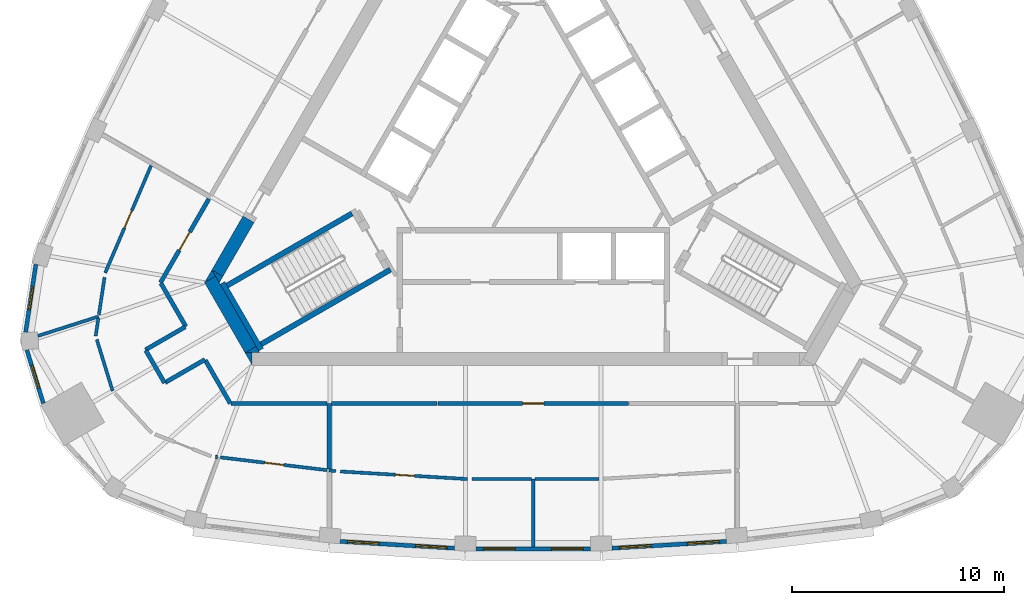
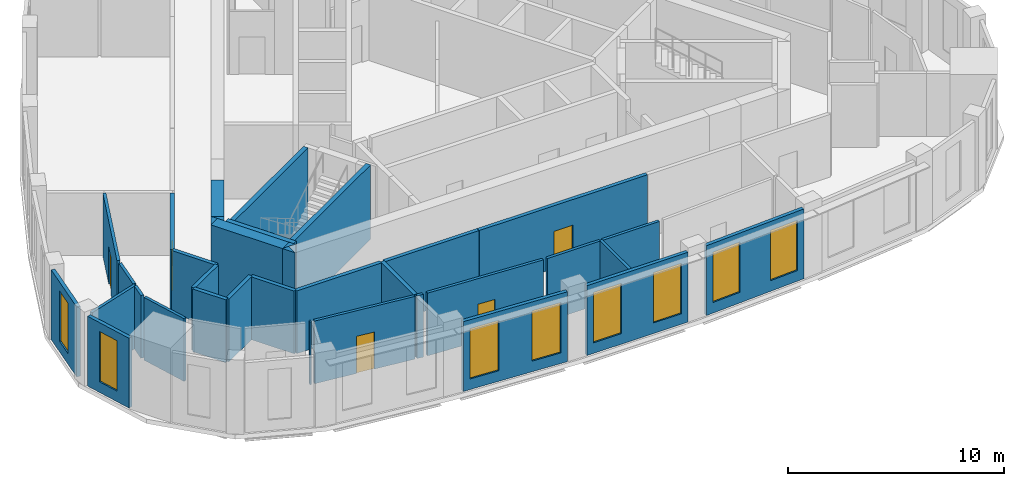
# One storey, part 3 of 10: 36 walls, 8 windows, 5 doors, 13 openings.
"""IFC4 building model written with IfcOpenShell, lengths in metres."""

from ifc_helpers import new_model, si_unit, direction, frame, frame_2d, origin, place, context, subcontext, project, spatial, polyline, rectangle, outline, extrude, material, layer, layer_set, type_object, element, fill, save


model = new_model("IFC4")

# Units and contexts
model_context = context("Model", 3, precision=1e-05, world=origin(), true_north=direction((0.0, 1.0)))
body_context = subcontext(model_context, "Body", "Model", "MODEL_VIEW")
ifc_project = project(units=[si_unit("LENGTHUNIT", "METRE"), si_unit("AREAUNIT", "SQUARE_METRE"), si_unit("VOLUMEUNIT", "CUBIC_METRE"), si_unit("PLANEANGLEUNIT", "RADIAN"), si_unit("MASSUNIT", "GRAM", prefix="KILO")], contexts=[model_context])

# Site, building, storey
site_placement = place(None, origin())
site = spatial("IfcSite", under=ifc_project, at=site_placement, CompositionType="ELEMENT")
building_placement = place(site_placement, origin())
building = spatial("IfcBuilding", under=site, at=building_placement, Name="Mestral Congress Tower", CompositionType="ELEMENT")
storey_placement = place(building_placement, frame((0.0, 0.0, 309.0)))
storey = spatial("IfcBuildingStorey", under=building, at=storey_placement, Name="L72", CompositionType="ELEMENT", Elevation=309.0)

# Walls
ifc_material_1 = material(Name="Concrete C60/75", Category="concrete")
ifc_layer_1 = layer(ifc_material_1, 0.60009765625)
ifc_layer_set_1 = layer_set([ifc_layer_1], Name="Concrete C60/75")
wall_type_1 = type_object("IfcWallType", Name="Core wall RC 600", PredefinedType="SOLIDWALL", material=ifc_layer_set_1)
placement = place(storey_placement, origin())
element("IfcWall", 1, at=placement, inside=storey, type_object=wall_type_1, Name="L72 core wall", PredefinedType="SOLIDWALL", context=body_context, shape_type="SweptSolid", body=[
    extrude(outline(polyline([(-13.5966796875, -9.64990234375), (-13.258544921875, -9.64990234375), (-13.258544921875, -10.235595703125), (-13.5966796875, -9.64990234375)])), origin(), (0.0, 0.0, 1.0), 4.199951171875),
])
wall_2_placement = place(storey_placement, frame((-13.33349609375, -9.505615234375, 0.0), z_axis=(0.0, 0.0, 1.0), x_axis=(-0.500019073792, 0.866014391245, 0.0)))
element("IfcWall", 2, at=wall_2_placement, inside=storey, type_object=wall_type_1, Name="L72 core wall", PredefinedType="SOLIDWALL", context=body_context, shape_type="SweptSolid", body=[
    extrude(rectangle(XDim=3.823486328125, YDim=0.60009765625, at=frame_2d((1.91162109375, 0.0))), origin(), (0.0, 0.0, 1.0), 4.199951171875),
])
element("IfcWall", 3, at=placement, inside=storey, type_object=wall_type_1, Name="L72 core wall", PredefinedType="SOLIDWALL", context=body_context, shape_type="SweptSolid", body=[
    extrude(outline(polyline([(-14.986572265625, -6.042724609375), (-15.493408203125, -6.33544921875), (-15.155517578125, -5.75), (-14.986572265625, -6.042724609375)])), origin(), (0.0, 0.0, 1.0), 4.199951171875),
])
element("IfcWall", 4, at=placement, inside=storey, type_object=wall_type_1, Name="L72 core wall", PredefinedType="SOLIDWALL", context=body_context, shape_type="SweptSolid", body=[
    extrude(outline(polyline([(-12.90380859375, -9.64990234375), (-13.579833984375, -9.64990234375), (-13.07275390625, -9.357421875), (-12.90380859375, -9.64990234375)])), origin(), (0.0, 0.0, 1.0), 4.199951171875),
])
wall_5_placement = place(storey_placement, frame((-13.431640625, -3.3642578125, 0.0), z_axis=(0.0, 0.0, 1.0), x_axis=(-0.499960127962, -0.866048422692, 0.0)))
element("IfcWall", 5, at=wall_5_placement, inside=storey, type_object=wall_type_1, Name="L72 core wall", PredefinedType="SOLIDWALL", context=body_context, shape_type="SweptSolid", body=[
    extrude(rectangle(XDim=2.934326171875, YDim=0.60009765625, at=frame_2d((1.46728515625, 0.0))), origin(), (0.0, 0.0, 1.0), 4.199951171875),
])
element("IfcWall", 6, at=placement, inside=storey, type_object=wall_type_1, Name="L72 core wall", PredefinedType="SOLIDWALL", context=body_context, shape_type="SweptSolid", body=[
    extrude(outline(polyline([(-14.80908203125, -6.35009765625), (-15.147216796875, -5.764404296875), (-14.639892578125, -6.057373046875), (-14.80908203125, -6.35009765625)])), origin(), (0.0, 0.0, 1.0), 4.199951171875),
])

# Wall, openings, windows
ifc_material_2 = material(Name="Precast concrete C40/50 with limestone facing", Category="masonry")
ifc_layer_2 = layer(ifc_material_2, 0.18994140625)
ifc_layer_set_2 = layer_set([ifc_layer_2], Name="Precast concrete C40/50 with limestone facing")
wall_type_2 = type_object("IfcWallType", Name="Facade stone wall 190", PredefinedType="SOLIDWALL", material=ifc_layer_set_2)
wall_7_placement = place(storey_placement, frame((-9.106689453125, -18.557861328125, 0.0), z_axis=(0.0, 0.0, 1.0), x_axis=(0.998221492823, -0.059614186786, 0.0)))
wall_7 = element("IfcWall", 7, at=wall_7_placement, inside=storey, type_object=wall_type_2, Name="Facade wall F0-01", PredefinedType="SOLIDWALL", context=body_context, shape_type="SweptSolid", body=[
    extrude(rectangle(XDim=5.40576171875, YDim=0.18994140625, at=frame_2d((2.702880859375, 0.0))), origin(), (0.0, 0.0, 1.0), 3.949951171875),
])
opening_1_placement = place(wall_7_placement, frame((0.346435546875, 0.0, 0.60009765625)))
opening_1 = element("IfcOpeningElement", 8, at=opening_1_placement, cuts=wall_7, Name="Opening W6", PredefinedType="OPENING", context=body_context, shape_type="SweptSolid", body=[
    extrude(rectangle(XDim=1.5, YDim=2.85009765625, at=frame_2d((0.75, 1.425048828125))), frame((0.0, 0.10498046875, 0.0), z_axis=(0.0, -1.0, 0.0), x_axis=(1.0, 0.0, 0.0)), (0.0, 0.0, 1.0), 0.2099609375),
])
opening_2_placement = place(wall_7_placement, frame((3.559326171875, 0.0, 0.60009765625)))
opening_2 = element("IfcOpeningElement", 9, at=opening_2_placement, cuts=wall_7, Name="Opening W6", PredefinedType="OPENING", context=body_context, shape_type="SweptSolid", body=[
    extrude(rectangle(XDim=1.5, YDim=2.85009765625, at=frame_2d((0.75, 1.425048828125))), frame((0.0, 0.10498046875, 0.0), z_axis=(0.0, -1.0, 0.0), x_axis=(1.0, 0.0, 0.0)), (0.0, 0.0, 1.0), 0.2099609375),
])
ifc_material_3 = material(Name="Clear low-emissivity double glazing", Category="glass")
window_type_1 = type_object("IfcWindowType", Name="Facade punched window 1500 x 2850 sill 600", PartitioningType="SINGLE_PANEL", PredefinedType="WINDOW", material=ifc_material_3)
window_1_placement = place(opening_1_placement, origin())
window_1 = element("IfcWindow", 10, at=window_1_placement, inside=storey, type_object=window_type_1, Name="Window F0-01a", OverallHeight=2.85009765625, OverallWidth=1.5, PartitioningType="SINGLE_PANEL", PredefinedType="WINDOW", context=body_context, shape_type="SweptSolid", body=[
    extrude(rectangle(XDim=1.5, YDim=2.85009765625, at=frame_2d((0.75, 1.425048828125))), frame((0.0, 0.044921875, 0.0), z_axis=(0.0, -1.0, 0.0), x_axis=(1.0, 0.0, 0.0)), (0.0, 0.0, 1.0), 0.06005859375),
])
fill(opening_1, window_1)
window_2_placement = place(opening_2_placement, origin())
window_2 = element("IfcWindow", 11, at=window_2_placement, inside=storey, type_object=window_type_1, Name="Window F0-01b", OverallHeight=2.85009765625, OverallWidth=1.5, PartitioningType="SINGLE_PANEL", PredefinedType="WINDOW", context=body_context, shape_type="SweptSolid", body=[
    extrude(rectangle(XDim=1.5, YDim=2.85009765625, at=frame_2d((0.75, 1.425048828125))), frame((0.0, 0.044921875, 0.0), z_axis=(0.0, -1.0, 0.0), x_axis=(1.0, 0.0, 0.0)), (0.0, 0.0, 1.0), 0.06005859375),
])
fill(opening_2, window_2)

wall_8_placement = place(storey_placement, frame((-2.702880859375, -18.91015625, 0.0), z_axis=(0.0, 0.0, 1.0), x_axis=(1.0, 0.0, 0.0)))
wall_8 = element("IfcWall", 12, at=wall_8_placement, inside=storey, type_object=wall_type_2, Name="Facade wall F0-02", PredefinedType="SOLIDWALL", context=body_context, shape_type="SweptSolid", body=[
    extrude(rectangle(XDim=5.40576171875, YDim=0.18994140625, at=frame_2d((2.702880859375, 0.0))), origin(), (0.0, 0.0, 1.0), 3.949951171875),
])
opening_3_placement = place(wall_8_placement, frame((0.346435546875, 0.0, 0.60009765625)))
opening_3 = element("IfcOpeningElement", 13, at=opening_3_placement, cuts=wall_8, Name="Opening W6", PredefinedType="OPENING", context=body_context, shape_type="SweptSolid", body=[
    extrude(rectangle(XDim=1.5, YDim=2.85009765625, at=frame_2d((0.75, 1.425048828125))), frame((0.0, 0.10498046875, 0.0), z_axis=(0.0, -1.0, 0.0), x_axis=(1.0, 0.0, 0.0)), (0.0, 0.0, 1.0), 0.2099609375),
])
opening_4_placement = place(wall_8_placement, frame((3.5595703125, 0.0, 0.60009765625)))
opening_4 = element("IfcOpeningElement", 14, at=opening_4_placement, cuts=wall_8, Name="Opening W6", PredefinedType="OPENING", context=body_context, shape_type="SweptSolid", body=[
    extrude(rectangle(XDim=1.5, YDim=2.85009765625, at=frame_2d((0.75, 1.425048828125))), frame((0.0, 0.10498046875, 0.0), z_axis=(0.0, -1.0, 0.0), x_axis=(1.0, 0.0, 0.0)), (0.0, 0.0, 1.0), 0.2099609375),
])
window_3_placement = place(opening_3_placement, origin())
window_3 = element("IfcWindow", 15, at=window_3_placement, inside=storey, type_object=window_type_1, Name="Window F0-02a", OverallHeight=2.85009765625, OverallWidth=1.5, PartitioningType="SINGLE_PANEL", PredefinedType="WINDOW", context=body_context, shape_type="SweptSolid", body=[
    extrude(rectangle(XDim=1.5, YDim=2.85009765625, at=frame_2d((0.75, 1.425048828125))), frame((0.0, 0.044921875, 0.0), z_axis=(0.0, -1.0, 0.0), x_axis=(1.0, 0.0, 0.0)), (0.0, 0.0, 1.0), 0.06005859375),
])
fill(opening_3, window_3)
window_4_placement = place(opening_4_placement, origin())
window_4 = element("IfcWindow", 16, at=window_4_placement, inside=storey, type_object=window_type_1, Name="Window F0-02b", OverallHeight=2.85009765625, OverallWidth=1.5, PartitioningType="SINGLE_PANEL", PredefinedType="WINDOW", context=body_context, shape_type="SweptSolid", body=[
    extrude(rectangle(XDim=1.5, YDim=2.85009765625, at=frame_2d((0.75, 1.425048828125))), frame((0.0, 0.044921875, 0.0), z_axis=(0.0, -1.0, 0.0), x_axis=(1.0, 0.0, 0.0)), (0.0, 0.0, 1.0), 0.06005859375),
])
fill(opening_4, window_4)

wall_9_placement = place(storey_placement, frame((3.71044921875, -18.880126953125, 0.0), z_axis=(0.0, 0.0, 1.0), x_axis=(0.998221492823, 0.059614186786, 0.0)))
wall_9 = element("IfcWall", 17, at=wall_9_placement, inside=storey, type_object=wall_type_2, Name="Facade wall F0-03", PredefinedType="SOLIDWALL", context=body_context, shape_type="SweptSolid", body=[
    extrude(rectangle(XDim=5.40576171875, YDim=0.18994140625, at=frame_2d((2.702880859375, 0.0))), origin(), (0.0, 0.0, 1.0), 3.949951171875),
])
opening_5_placement = place(wall_9_placement, frame((0.346435546875, 0.0, 0.60009765625)))
opening_5 = element("IfcOpeningElement", 18, at=opening_5_placement, cuts=wall_9, Name="Opening W6", PredefinedType="OPENING", context=body_context, shape_type="SweptSolid", body=[
    extrude(rectangle(XDim=1.5, YDim=2.85009765625, at=frame_2d((0.75, 1.425048828125))), frame((0.0, 0.10498046875, 0.0), z_axis=(0.0, -1.0, 0.0), x_axis=(1.0, 0.0, 0.0)), (0.0, 0.0, 1.0), 0.2099609375),
])
opening_6_placement = place(wall_9_placement, frame((3.559326171875, 0.0, 0.60009765625)))
opening_6 = element("IfcOpeningElement", 19, at=opening_6_placement, cuts=wall_9, Name="Opening W6", PredefinedType="OPENING", context=body_context, shape_type="SweptSolid", body=[
    extrude(rectangle(XDim=1.5, YDim=2.85009765625, at=frame_2d((0.75, 1.425048828125))), frame((0.0, 0.10498046875, 0.0), z_axis=(0.0, -1.0, 0.0), x_axis=(1.0, 0.0, 0.0)), (0.0, 0.0, 1.0), 0.2099609375),
])
window_5_placement = place(opening_5_placement, origin())
window_5 = element("IfcWindow", 20, at=window_5_placement, inside=storey, type_object=window_type_1, Name="Window F0-03a", OverallHeight=2.85009765625, OverallWidth=1.5, PartitioningType="SINGLE_PANEL", PredefinedType="WINDOW", context=body_context, shape_type="SweptSolid", body=[
    extrude(rectangle(XDim=1.5, YDim=2.85009765625, at=frame_2d((0.75, 1.425048828125))), frame((0.0, 0.044921875, 0.0), z_axis=(0.0, -1.0, 0.0), x_axis=(1.0, 0.0, 0.0)), (0.0, 0.0, 1.0), 0.06005859375),
])
fill(opening_5, window_5)
window_6_placement = place(opening_6_placement, origin())
window_6 = element("IfcWindow", 21, at=window_6_placement, inside=storey, type_object=window_type_1, Name="Window F0-03b", OverallHeight=2.85009765625, OverallWidth=1.5, PartitioningType="SINGLE_PANEL", PredefinedType="WINDOW", context=body_context, shape_type="SweptSolid", body=[
    extrude(rectangle(XDim=1.5, YDim=2.85009765625, at=frame_2d((0.75, 1.425048828125))), frame((0.0, 0.044921875, 0.0), z_axis=(0.0, -1.0, 0.0), x_axis=(1.0, 0.0, 0.0)), (0.0, 0.0, 1.0), 0.06005859375),
])
fill(opening_6, window_6)

# Wall, opening, window
wall_10_placement = place(storey_placement, frame((-23.460205078125, -5.488037109375, 0.0), z_axis=(0.0, 0.0, 1.0), x_axis=(-0.149421055602, -0.988773658702, 0.0)))
wall_10 = element("IfcWall", 22, at=wall_10_placement, inside=storey, type_object=wall_type_2, Name="Facade wall K2-0", PredefinedType="SOLIDWALL", context=body_context, shape_type="SweptSolid", body=[
    extrude(rectangle(XDim=3.23681640625, YDim=0.18994140625, at=frame_2d((1.618408203125, 0.0))), origin(), (0.0, 0.0, 1.0), 3.949951171875),
])
opening_7_placement = place(wall_10_placement, frame((1.068359375, 0.0, 0.60009765625)))
opening_7 = element("IfcOpeningElement", 23, at=opening_7_placement, cuts=wall_10, Name="Opening W7", PredefinedType="OPENING", context=body_context, shape_type="SweptSolid", body=[
    extrude(rectangle(XDim=1.10009765625, YDim=2.85009765625, at=frame_2d((0.550048828125, 1.425048828125))), frame((0.0, 0.10498046875, 0.0), z_axis=(0.0, -1.0, 0.0), x_axis=(1.0, 0.0, 0.0)), (0.0, 0.0, 1.0), 0.2099609375),
])
window_type_2 = type_object("IfcWindowType", Name="Facade punched window 1100 x 2850 sill 600", PartitioningType="SINGLE_PANEL", PredefinedType="WINDOW", material=ifc_material_3)
window_7_placement = place(opening_7_placement, origin())
window_7 = element("IfcWindow", 24, at=window_7_placement, inside=storey, type_object=window_type_2, Name="Window K2-0", OverallHeight=2.85009765625, OverallWidth=1.10009765625, PartitioningType="SINGLE_PANEL", PredefinedType="WINDOW", context=body_context, shape_type="SweptSolid", body=[
    extrude(rectangle(XDim=1.10009765625, YDim=2.85009765625, at=frame_2d((0.550048828125, 1.425048828125))), frame((0.0, 0.044921875, 0.0), z_axis=(0.0, -1.0, 0.0), x_axis=(1.0, 0.0, 0.0)), (0.0, 0.0, 1.0), 0.06005859375),
])
fill(opening_7, window_7)

wall_11_placement = place(storey_placement, frame((-23.880615234375, -9.53515625, 0.0), z_axis=(0.0, 0.0, 1.0), x_axis=(0.294706210429, -0.9555879078, 0.0)))
wall_11 = element("IfcWall", 25, at=wall_11_placement, inside=storey, type_object=wall_type_2, Name="Facade wall K2-1", PredefinedType="SOLIDWALL", context=body_context, shape_type="SweptSolid", body=[
    extrude(rectangle(XDim=2.626953125, YDim=0.18994140625, at=frame_2d((1.3134765625, 0.0))), origin(), (0.0, 0.0, 1.0), 3.949951171875),
])
opening_8_placement = place(wall_11_placement, frame((0.763427734375, 0.0, 0.60009765625)))
opening_8 = element("IfcOpeningElement", 26, at=opening_8_placement, cuts=wall_11, Name="Opening W7", PredefinedType="OPENING", context=body_context, shape_type="SweptSolid", body=[
    extrude(rectangle(XDim=1.10009765625, YDim=2.85009765625, at=frame_2d((0.550048828125, 1.425048828125))), frame((0.0, 0.10498046875, 0.0), z_axis=(0.0, -1.0, 0.0), x_axis=(1.0, 0.0, 0.0)), (0.0, 0.0, 1.0), 0.2099609375),
])
window_8_placement = place(opening_8_placement, origin())
window_8 = element("IfcWindow", 27, at=window_8_placement, inside=storey, type_object=window_type_2, Name="Window K2-1", OverallHeight=2.85009765625, OverallWidth=1.10009765625, PartitioningType="SINGLE_PANEL", PredefinedType="WINDOW", context=body_context, shape_type="SweptSolid", body=[
    extrude(rectangle(XDim=1.10009765625, YDim=2.85009765625, at=frame_2d((0.550048828125, 1.425048828125))), frame((0.0, 0.044921875, 0.0), z_axis=(0.0, -1.0, 0.0), x_axis=(1.0, 0.0, 0.0)), (0.0, 0.0, 1.0), 0.06005859375),
])
fill(opening_8, window_8)

# Walls
ifc_material_4 = material(Name="Plasterboard partition on steel studs", Category="steel")
ifc_layer_3 = layer(ifc_material_4, 0.14990234375)
ifc_layer_set_3 = layer_set([ifc_layer_3], Name="Plasterboard partition on steel studs")
wall_type_3 = type_object("IfcWallType", Name="Office partition 150", PredefinedType="PARTITIONING", material=ifc_layer_set_3)
wall_12_placement = place(storey_placement, frame((0.0, -15.615234375, 0.0), z_axis=(0.0, 0.0, 1.0), x_axis=(0.0, -1.0, 0.0)))
element("IfcWall", 28, at=wall_12_placement, inside=storey, type_object=wall_type_3, Name="Partition", PredefinedType="PARTITIONING", context=body_context, shape_type="SweptSolid", body=[
    extrude(rectangle(XDim=3.199951171875, YDim=0.14990234375, at=frame_2d((1.60009765625, 0.0))), origin(), (0.0, 0.0, 1.0), 3.550048828125),
])
wall_13_placement = place(storey_placement, frame((-9.62744140625, -15.20703125, 0.0), z_axis=(0.0, 0.0, 1.0), x_axis=(0.992909886905, -0.118869493503, 0.0)))
element("IfcWall", 29, at=wall_13_placement, inside=storey, type_object=wall_type_3, Name="Partition", PredefinedType="PARTITIONING", context=body_context, shape_type="SweptSolid", body=[
    extrude(rectangle(XDim=0.314208984375, YDim=0.14990234375, at=frame_2d((0.1572265625, 0.0))), origin(), (0.0, 0.0, 1.0), 3.550048828125),
])

# Wall, opening, door
wall_14_placement = place(storey_placement, frame((-3.10888671875, -15.615234375, 0.0), z_axis=(0.0, 0.0, 1.0), x_axis=(-0.998221243398, 0.059618363188, 0.0)))
wall_14 = element("IfcWall", 30, at=wall_14_placement, inside=storey, type_object=wall_type_3, Name="Partition", PredefinedType="PARTITIONING", context=body_context, shape_type="SweptSolid", body=[
    extrude(rectangle(XDim=6.00341796875, YDim=0.14990234375, at=frame_2d((3.001708984375, 0.0))), origin(), (0.0, 0.0, 1.0), 3.550048828125),
])
opening_9_placement = place(wall_14_placement, frame((2.50341796875, 0.0, 0.0)))
opening_9 = element("IfcOpeningElement", 31, at=opening_9_placement, cuts=wall_14, Name="Opening O14-001", PredefinedType="OPENING", context=body_context, shape_type="SweptSolid", body=[
    extrude(rectangle(XDim=0.89990234375, YDim=2.10009765625, at=frame_2d((0.449951171875, 1.050048828125))), frame((0.0, 0.0849609375, 0.0), z_axis=(0.0, -1.0, 0.0), x_axis=(1.0, 0.0, 0.0)), (0.0, 0.0, 1.0), 0.169921875),
])
ifc_material_5 = material(Name="Timber door set", Category="wood")
door_type_1 = type_object("IfcDoorType", Name="Office door 900x2100", OperationType="SINGLE_SWING_LEFT", PredefinedType="DOOR", material=ifc_material_5)
door_1_placement = place(opening_9_placement, origin())
door_1 = element("IfcDoor", 32, at=door_1_placement, inside=storey, type_object=door_type_1, Name="Door O14-001", OperationType="SINGLE_SWING_LEFT", OverallHeight=2.10009765625, OverallWidth=0.89990234375, PredefinedType="DOOR", context=body_context, shape_type="SweptSolid", body=[
    extrude(rectangle(XDim=0.89990234375, YDim=2.10009765625, at=frame_2d((0.449951171875, 1.050048828125))), frame((0.0, 0.02490234375, 0.0), z_axis=(0.0, -1.0, 0.0), x_axis=(1.0, 0.0, 0.0)), (0.0, 0.0, 1.0), 0.050048828125),
])
fill(opening_9, door_1)

# Walls
wall_15_placement = place(storey_placement, frame((-2.89453125, -15.615234375, 0.0), z_axis=(0.0, 0.0, 1.0), x_axis=(1.0, 0.0, 0.0)))
element("IfcWall", 33, at=wall_15_placement, inside=storey, type_object=wall_type_3, Name="Partition", PredefinedType="PARTITIONING", context=body_context, shape_type="SweptSolid", body=[
    extrude(rectangle(XDim=2.819580078125, YDim=0.14990234375, at=frame_2d((1.40966796875, 0.0))), origin(), (0.0, 0.0, 1.0), 3.550048828125),
])
wall_16_placement = place(storey_placement, frame((0.074951171875, -15.615234375, 0.0), z_axis=(0.0, 0.0, 1.0), x_axis=(1.0, 0.0, 0.0)))
element("IfcWall", 34, at=wall_16_placement, inside=storey, type_object=wall_type_3, Name="Partition", PredefinedType="PARTITIONING", context=body_context, shape_type="SweptSolid", body=[
    extrude(rectangle(XDim=3.033935546875, YDim=0.14990234375, at=frame_2d((1.51708984375, 0.0))), origin(), (0.0, 0.0, 1.0), 3.550048828125),
])
wall_17_placement = place(storey_placement, frame((-20.49951171875, -7.947998046875, 0.0), z_axis=(0.0, 0.0, 1.0), x_axis=(-0.952499513035, -0.304540108471, 0.0)))
element("IfcWall", 35, at=wall_17_placement, inside=storey, type_object=wall_type_3, Name="Partition", PredefinedType="PARTITIONING", context=body_context, shape_type="SweptSolid", body=[
    extrude(rectangle(XDim=3.0078125, YDim=0.14990234375, at=frame_2d((1.50390625, 0.0))), origin(), (0.0, 0.0, 1.0), 3.550048828125),
])

# Wall, opening, door
wall_18_placement = place(storey_placement, frame((-20.188232421875, -5.8876953125, 0.0), z_axis=(0.0, 0.0, 1.0), x_axis=(0.393346486154, 0.919390309841, 0.0)))
wall_18 = element("IfcWall", 36, at=wall_18_placement, inside=storey, type_object=wall_type_3, Name="Partition", PredefinedType="PARTITIONING", context=body_context, shape_type="SweptSolid", body=[
    extrude(rectangle(XDim=5.5048828125, YDim=0.14990234375, at=frame_2d((2.75244140625, 0.0))), origin(), (0.0, 0.0, 1.0), 3.550048828125),
])
opening_10_placement = place(wall_18_placement, frame((2.3046875, 0.0, 0.0)))
opening_10 = element("IfcOpeningElement", 37, at=opening_10_placement, cuts=wall_18, Name="Opening O14-015", PredefinedType="OPENING", context=body_context, shape_type="SweptSolid", body=[
    extrude(rectangle(XDim=0.89990234375, YDim=2.10009765625, at=frame_2d((0.449951171875, 1.050048828125))), frame((0.0, 0.0849609375, 0.0), z_axis=(0.0, -1.0, 0.0), x_axis=(1.0, 0.0, 0.0)), (0.0, 0.0, 1.0), 0.169921875),
])
door_2_placement = place(opening_10_placement, origin())
door_2 = element("IfcDoor", 38, at=door_2_placement, inside=storey, type_object=door_type_1, Name="Door O14-015", OperationType="SINGLE_SWING_RIGHT", OverallHeight=2.10009765625, OverallWidth=0.89990234375, PredefinedType="DOOR", context=body_context, shape_type="SweptSolid", body=[
    extrude(rectangle(XDim=0.89990234375, YDim=2.10009765625, at=frame_2d((0.449951171875, 1.050048828125))), frame((0.0, 0.02490234375, 0.0), z_axis=(0.0, -1.0, 0.0), x_axis=(1.0, 0.0, 0.0)), (0.0, 0.0, 1.0), 0.050048828125),
])
fill(opening_10, door_2)

# Walls
wall_19_placement = place(storey_placement, frame((-20.22021484375, -6.099365234375, 0.0), z_axis=(0.0, 0.0, 1.0), x_axis=(-0.14941661042, -0.988774330437, 0.0)))
element("IfcWall", 39, at=wall_19_placement, inside=storey, type_object=wall_type_3, Name="Partition", PredefinedType="PARTITIONING", context=body_context, shape_type="SweptSolid", body=[
    extrude(rectangle(XDim=1.785888671875, YDim=0.14990234375, at=frame_2d((0.89306640625, 0.0))), origin(), (0.0, 0.0, 1.0), 3.550048828125),
])
wall_20_placement = place(storey_placement, frame((-20.511962890625, -8.03076171875, 0.0), z_axis=(0.0, 0.0, 1.0), x_axis=(-0.149497595499, -0.98876208915, 0.0)))
element("IfcWall", 40, at=wall_20_placement, inside=storey, type_object=wall_type_3, Name="Partition", PredefinedType="PARTITIONING", context=body_context, shape_type="SweptSolid", body=[
    extrude(rectangle(XDim=0.845947265625, YDim=0.14990234375, at=frame_2d((0.4228515625, 0.0))), origin(), (0.0, 0.0, 1.0), 3.550048828125),
])
wall_21_placement = place(storey_placement, frame((-20.58740234375, -9.0322265625, 0.0), z_axis=(0.0, 0.0, 1.0), x_axis=(0.294593354479, -0.95562270562, 0.0)))
element("IfcWall", 41, at=wall_21_placement, inside=storey, type_object=wall_type_3, Name="Partition", PredefinedType="PARTITIONING", context=body_context, shape_type="SweptSolid", body=[
    extrude(rectangle(XDim=2.53515625, YDim=0.14990234375, at=frame_2d((1.267578125, 0.0))), origin(), (0.0, 0.0, 1.0), 3.550048828125),
])
wall_22_placement = place(storey_placement, frame((-14.97998046875, -14.565185546875, 0.0), z_axis=(0.0, 0.0, 1.0), x_axis=(0.992847073299, -0.119393002485, 0.0)))
element("IfcWall", 42, at=wall_22_placement, inside=storey, type_object=wall_type_3, Name="Partition", PredefinedType="PARTITIONING", context=body_context, shape_type="SweptSolid", body=[
    extrude(rectangle(XDim=0.07763671875, YDim=0.14990234375, at=frame_2d((0.038818359375, 0.0))), origin(), (0.0, 0.0, 1.0), 3.550048828125),
])

# Wall, opening, door
wall_23_placement = place(storey_placement, frame((-9.727294921875, -15.195068359375, 0.0), z_axis=(0.0, 0.0, 1.0), x_axis=(-0.992892587246, 0.119013907556, 0.0)))
wall_23 = element("IfcWall", 43, at=wall_23_placement, inside=storey, type_object=wall_type_3, Name="Partition", PredefinedType="PARTITIONING", context=body_context, shape_type="SweptSolid", body=[
    extrude(rectangle(XDim=5.05859375, YDim=0.14990234375, at=frame_2d((2.529296875, 0.0))), origin(), (0.0, 0.0, 1.0), 3.550048828125),
])
opening_11_placement = place(wall_23_placement, frame((2.05859375, 0.0, 0.0)))
opening_11 = element("IfcOpeningElement", 44, at=opening_11_placement, cuts=wall_23, Name="Opening O14-017", PredefinedType="OPENING", context=body_context, shape_type="SweptSolid", body=[
    extrude(rectangle(XDim=0.89990234375, YDim=2.10009765625, at=frame_2d((0.449951171875, 1.050048828125))), frame((0.0, 0.0849609375, 0.0), z_axis=(0.0, -1.0, 0.0), x_axis=(1.0, 0.0, 0.0)), (0.0, 0.0, 1.0), 0.169921875),
])
door_3_placement = place(opening_11_placement, origin())
door_3 = element("IfcDoor", 45, at=door_3_placement, inside=storey, type_object=door_type_1, Name="Door O14-017", OperationType="SINGLE_SWING_LEFT", OverallHeight=2.10009765625, OverallWidth=0.89990234375, PredefinedType="DOOR", context=body_context, shape_type="SweptSolid", body=[
    extrude(rectangle(XDim=0.89990234375, YDim=2.10009765625, at=frame_2d((0.449951171875, 1.050048828125))), frame((0.0, 0.02490234375, 0.0), z_axis=(0.0, -1.0, 0.0), x_axis=(1.0, 0.0, 0.0)), (0.0, 0.0, 1.0), 0.050048828125),
])
fill(opening_11, door_3)

# Wall
ifc_material_6 = material(Name="Dense masonry wall, plastered", Category="masonry")
ifc_layer_4 = layer(ifc_material_6, 0.199951171875)
ifc_layer_set_4 = layer_set([ifc_layer_4], Name="Dense masonry wall, plastered")
wall_type_4 = type_object("IfcWallType", Name="Office tenancy wall 200", PredefinedType="PARTITIONING", material=ifc_layer_set_4)
wall_24_placement = place(storey_placement, frame((-9.62744140625, -15.131591796875, 0.0), z_axis=(0.0, 0.0, 1.0), x_axis=(0.0, 1.0, 0.0)))
element("IfcWall", 46, at=wall_24_placement, inside=storey, type_object=wall_type_4, Name="Tenancy wall", PredefinedType="PARTITIONING", context=body_context, shape_type="SweptSolid", body=[
    extrude(rectangle(XDim=3.08154296875, YDim=0.199951171875, at=frame_2d((1.540771484375, 0.0))), origin(), (0.0, 0.0, 1.0), 3.550048828125),
])

# Wall, opening, door
wall_25_placement = place(storey_placement, frame((-4.5, -12.050048828125, 0.0), z_axis=(0.0, 0.0, 1.0), x_axis=(1.0, 0.0, 0.0)))
wall_25 = element("IfcWall", 47, at=wall_25_placement, inside=storey, type_object=wall_type_4, Name="Tenancy wall", PredefinedType="PARTITIONING", context=body_context, shape_type="SweptSolid", body=[
    extrude(rectangle(XDim=9.0, YDim=0.199951171875, at=frame_2d((4.5, 0.0))), origin(), (0.0, 0.0, 1.0), 3.550048828125),
])
opening_12_placement = place(wall_25_placement, frame((4.0, 0.0, 0.0)))
opening_12 = element("IfcOpeningElement", 48, at=opening_12_placement, cuts=wall_25, Name="Opening O14-003", PredefinedType="OPENING", context=body_context, shape_type="SweptSolid", body=[
    extrude(rectangle(XDim=1.0, YDim=2.10009765625, at=frame_2d((0.5, 1.050048828125))), frame((0.0, 0.10986328125, 0.0), z_axis=(0.0, -1.0, 0.0), x_axis=(1.0, 0.0, 0.0)), (0.0, 0.0, 1.0), 0.219970703125),
])
ifc_material_7 = material(Name="Fire-rated timber door set", Category="wood")
door_type_2 = type_object("IfcDoorType", Name="Office tenancy entrance door 1000x2100", OperationType="SINGLE_SWING_LEFT", PredefinedType="DOOR", material=ifc_material_7)
door_4_placement = place(opening_12_placement, origin())
door_4 = element("IfcDoor", 49, at=door_4_placement, inside=storey, type_object=door_type_2, Name="Door O14-003", OperationType="SINGLE_SWING_RIGHT", OverallHeight=2.10009765625, OverallWidth=1.0, PredefinedType="DOOR", context=body_context, shape_type="SweptSolid", body=[
    extrude(rectangle(XDim=1.0, YDim=2.10009765625, at=frame_2d((0.5, 1.050048828125))), frame((0.0, 0.02490234375, 0.0), z_axis=(0.0, -1.0, 0.0), x_axis=(1.0, 0.0, 0.0)), (0.0, 0.0, 1.0), 0.050048828125),
])
fill(opening_12, door_4)

# Wall
wall_26_placement = place(storey_placement, frame((-9.52734375, -12.050048828125, 0.0), z_axis=(0.0, 0.0, 1.0), x_axis=(1.0, 0.0, 0.0)))
element("IfcWall", 50, at=wall_26_placement, inside=storey, type_object=wall_type_4, Name="Tenancy wall", PredefinedType="PARTITIONING", context=body_context, shape_type="SweptSolid", body=[
    extrude(rectangle(XDim=4.997314453125, YDim=0.199951171875, at=frame_2d((2.49853515625, 0.0))), origin(), (0.0, 0.0, 1.0), 3.550048828125),
])

# Wall, opening, door
wall_27_placement = place(storey_placement, frame((-15.29931640625, -2.399169921875, 0.0), z_axis=(0.0, 0.0, 1.0), x_axis=(-0.49998958839, -0.866031414847, 0.0)))
wall_27 = element("IfcWall", 51, at=wall_27_placement, inside=storey, type_object=wall_type_4, Name="Tenancy wall", PredefinedType="PARTITIONING", context=body_context, shape_type="SweptSolid", body=[
    extrude(rectangle(XDim=4.56201171875, YDim=0.199951171875, at=frame_2d((2.281005859375, 0.0))), origin(), (0.0, 0.0, 1.0), 3.550048828125),
])
opening_13_placement = place(wall_27_placement, frame((1.800048828125, 0.0, 0.0)))
opening_13 = element("IfcOpeningElement", 52, at=opening_13_placement, cuts=wall_27, Name="Opening O14-018", PredefinedType="OPENING", context=body_context, shape_type="SweptSolid", body=[
    extrude(rectangle(XDim=1.0, YDim=2.10009765625, at=frame_2d((0.5, 1.050048828125))), frame((0.0, 0.10986328125, 0.0), z_axis=(0.0, -1.0, 0.0), x_axis=(1.0, 0.0, 0.0)), (0.0, 0.0, 1.0), 0.219970703125),
])
door_5_placement = place(opening_13_placement, origin())
door_5 = element("IfcDoor", 53, at=door_5_placement, inside=storey, type_object=door_type_2, Name="Door O14-018", OperationType="SINGLE_SWING_RIGHT", OverallHeight=2.10009765625, OverallWidth=1.0, PredefinedType="DOOR", context=body_context, shape_type="SweptSolid", body=[
    extrude(rectangle(XDim=1.0, YDim=2.10009765625, at=frame_2d((0.5, 1.050048828125))), frame((0.0, 0.02490234375, 0.0), z_axis=(0.0, -1.0, 0.0), x_axis=(1.0, 0.0, 0.0)), (0.0, 0.0, 1.0), 0.050048828125),
])
fill(opening_13, door_5)

# Walls
wall_28_placement = place(storey_placement, frame((-17.565185546875, -6.3759765625, 0.0), z_axis=(0.0, 0.0, 1.0), x_axis=(0.499898509274, -0.866083991554, 0.0)))
element("IfcWall", 54, at=wall_28_placement, inside=storey, type_object=wall_type_4, Name="Tenancy wall", PredefinedType="PARTITIONING", context=body_context, shape_type="SweptSolid", body=[
    extrude(rectangle(XDim=2.36083984375, YDim=0.199951171875, at=frame_2d((1.180419921875, 0.0))), origin(), (0.0, 0.0, 1.0), 3.550048828125),
])
wall_29_placement = place(storey_placement, frame((-16.410888671875, -8.435546875, 0.0), z_axis=(0.0, 0.0, 1.0), x_axis=(-0.866018827591, -0.500011390128, 0.0)))
element("IfcWall", 55, at=wall_29_placement, inside=storey, type_object=wall_type_4, Name="Tenancy wall", PredefinedType="PARTITIONING", context=body_context, shape_type="SweptSolid", body=[
    extrude(rectangle(XDim=2.169921875, YDim=0.199951171875, at=frame_2d((1.0849609375, 0.0))), origin(), (0.0, 0.0, 1.0), 3.550048828125),
])
wall_30_placement = place(storey_placement, frame((-18.275146484375, -9.546630859375, 0.0), z_axis=(0.0, 0.0, 1.0), x_axis=(0.500040865889, -0.866001808567, 0.0)))
element("IfcWall", 56, at=wall_30_placement, inside=storey, type_object=wall_type_4, Name="Tenancy wall", PredefinedType="PARTITIONING", context=body_context, shape_type="SweptSolid", body=[
    extrude(rectangle(XDim=1.769775390625, YDim=0.199951171875, at=frame_2d((0.884765625, 0.0))), origin(), (0.0, 0.0, 1.0), 3.550048828125),
])
wall_31_placement = place(storey_placement, frame((-17.364013671875, -11.064453125, 0.0), z_axis=(0.0, 0.0, 1.0), x_axis=(0.866018827591, 0.500011390128, 0.0)))
element("IfcWall", 57, at=wall_31_placement, inside=storey, type_object=wall_type_4, Name="Tenancy wall", PredefinedType="PARTITIONING", context=body_context, shape_type="SweptSolid", body=[
    extrude(rectangle(XDim=2.169921875, YDim=0.199951171875, at=frame_2d((1.0849609375, 0.0))), origin(), (0.0, 0.0, 1.0), 3.550048828125),
])
wall_32_placement = place(storey_placement, frame((-15.469970703125, -10.00537109375, 0.0), z_axis=(0.0, 0.0, 1.0), x_axis=(0.500053625724, -0.865994440744, 0.0)))
element("IfcWall", 58, at=wall_32_placement, inside=storey, type_object=wall_type_4, Name="Tenancy wall", PredefinedType="PARTITIONING", context=body_context, shape_type="SweptSolid", body=[
    extrude(rectangle(XDim=2.361083984375, YDim=0.199951171875, at=frame_2d((1.1806640625, 0.0))), origin(), (0.0, 0.0, 1.0), 3.550048828125),
])
wall_33_placement = place(storey_placement, frame((-14.259521484375, -12.050048828125, 0.0), z_axis=(0.0, 0.0, 1.0), x_axis=(1.0, 0.0, 0.0)))
element("IfcWall", 59, at=wall_33_placement, inside=storey, type_object=wall_type_4, Name="Tenancy wall", PredefinedType="PARTITIONING", context=body_context, shape_type="SweptSolid", body=[
    extrude(rectangle(XDim=4.5322265625, YDim=0.199951171875, at=frame_2d((2.26611328125, 0.0))), origin(), (0.0, 0.0, 1.0), 3.550048828125),
])
ifc_layer_5 = layer(ifc_material_1, 0.25)
ifc_layer_set_5 = layer_set([ifc_layer_5], Name="Concrete C60/75")
wall_type_5 = type_object("IfcWallType", Name="Stair wall RC 250", PredefinedType="SOLIDWALL", material=ifc_layer_set_5)
wall_34_placement = place(storey_placement, frame((-12.839599609375, -9.510986328125, 0.0), z_axis=(0.0, 0.0, 1.0), x_axis=(-0.499997733992, 0.866026712061, 0.0)))
element("IfcWall", 60, at=wall_34_placement, inside=storey, type_object=wall_type_5, Name="L72 core wall", PredefinedType="SOLIDWALL", context=body_context, shape_type="SweptSolid", body=[
    extrude(rectangle(XDim=3.6337890625, YDim=0.25, at=frame_2d((1.81689453125, 0.0))), origin(), (0.0, 0.0, 1.0), 4.199951171875),
])
wall_35_placement = place(storey_placement, frame((-14.43994140625, -6.489501953125, 0.0), z_axis=(0.0, 0.0, 1.0), x_axis=(0.866022966069, 0.500004222222, 0.0)))
element("IfcWall", 61, at=wall_35_placement, inside=storey, type_object=wall_type_5, Name="L72 core wall", PredefinedType="SOLIDWALL", context=body_context, shape_type="SweptSolid", body=[
    extrude(rectangle(XDim=6.80029296875, YDim=0.25, at=frame_2d((3.400146484375, 0.0))), origin(), (0.0, 0.0, 1.0), 4.199951171875),
])
wall_36_placement = place(storey_placement, frame((-12.83984375, -9.2607421875, 0.0), z_axis=(0.0, 0.0, 1.0), x_axis=(0.866016039709, 0.500016218704, 0.0)))
element("IfcWall", 62, at=wall_36_placement, inside=storey, type_object=wall_type_5, Name="L72 core wall", PredefinedType="SOLIDWALL", context=body_context, shape_type="SweptSolid", body=[
    extrude(rectangle(XDim=7.050048828125, YDim=0.25, at=frame_2d((3.52490234375, 0.0))), origin(), (0.0, 0.0, 1.0), 4.199951171875),
])

save(model, "model.ifc")
